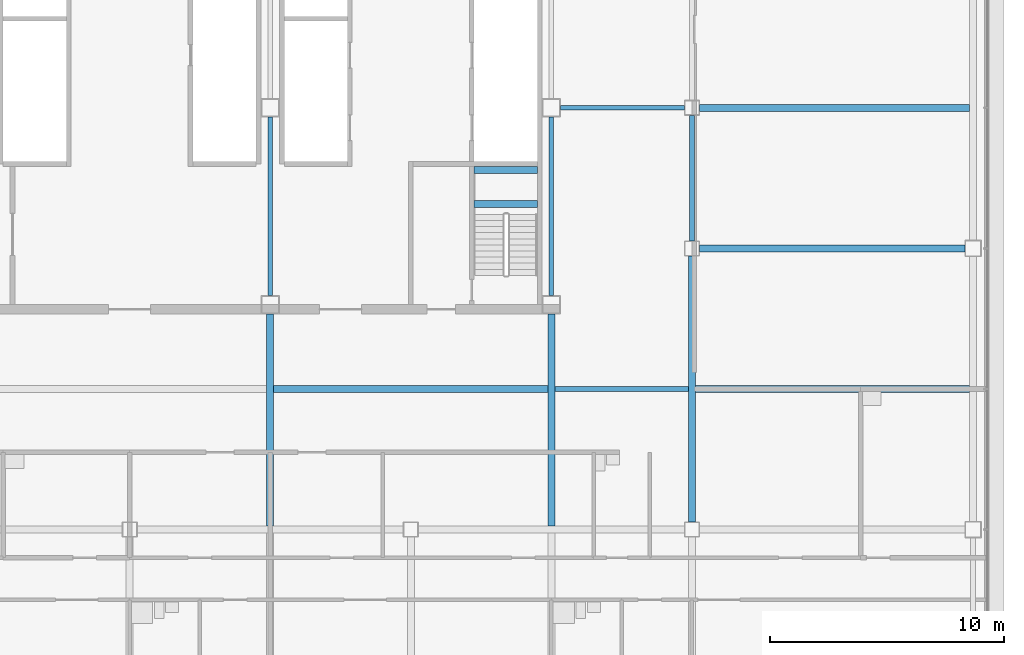
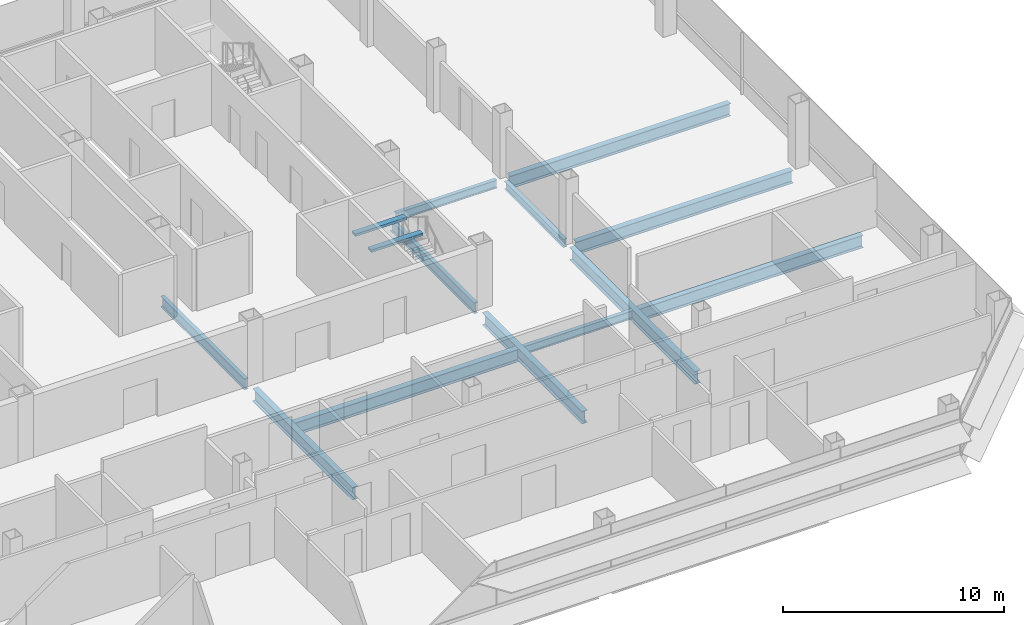
# One storey, part 10 of 24: 14 beams.
"""IFC4 building model written with IfcOpenShell, lengths in metres."""

from ifc_helpers import new_model, si_unit, direction, frame, origin, origin_2d, place, context, subcontext, project, spatial, rectangle, i_section, extrude, material, material_profile, profile_set, type_object, element, save


model = new_model("IFC4")

# Units and contexts
model_context = context("Model", 3, precision=1e-05, world=origin(), true_north=direction((0.0, 1.0)))
body_context = subcontext(model_context, "Body", "Model", "MODEL_VIEW")
ifc_project = project(units=[si_unit("LENGTHUNIT", "METRE"), si_unit("AREAUNIT", "SQUARE_METRE"), si_unit("VOLUMEUNIT", "CUBIC_METRE"), si_unit("PLANEANGLEUNIT", "RADIAN"), si_unit("MASSUNIT", "GRAM", prefix="KILO")], contexts=[model_context])

# Site, building, storey
site_placement = place(None, origin())
site = spatial("IfcSite", under=ifc_project, at=site_placement, CompositionType="ELEMENT")
building_placement = place(site_placement, origin())
building = spatial("IfcBuilding", under=site, at=building_placement, Name="Sorahane Residences", CompositionType="ELEMENT")
storey_placement = place(building_placement, frame((0.0, 0.0, 174.39990234375)))
storey = spatial("IfcBuildingStorey", under=building, at=storey_placement, Name="L40", CompositionType="ELEMENT", Elevation=174.39990234375)

# Beams
ifc_material_1 = material(Name="Concrete C40", Category="concrete")
ifc_material_profile_1 = material_profile(ifc_material_1, rectangle(XDim=0.300048828125, YDim=0.139892578125, at=origin_2d()), Name="300x140")
ifc_profile_set_1 = profile_set([ifc_material_profile_1], Name="Concrete C40")
beam_type_1 = type_object("IfcBeamType", Name="RC landing beam 300 x 140 Concrete C40", PredefinedType="BEAM", material=ifc_profile_set_1)
for number, where, z_axis, x_axis, name in (
    (1, (38.699951171875, 25.89990234375, 1.530029296875), (1.0, 0.0, 0.0), (0.0, 1.0, 0.0), "Landing beam"),
    (2, (38.699951171875, 27.35009765625, 1.530029296875), (1.0, 0.0, 0.0), (0.0, 1.0, 0.0), "Landing beam"),
):
    element("IfcBeam", number, at=place(storey_placement, frame(where, z_axis=z_axis, x_axis=x_axis)), inside=storey, type_object=beam_type_1, Name=name, PredefinedType="BEAM", context=body_context, shape_type="SweptSolid", body=[
        extrude(rectangle(XDim=0.300048828125, YDim=0.139892578125, at=origin_2d()), origin(), (0.0, 0.0, 1.0), 2.699951171875),
    ])
ifc_material_2 = material(Name="Steel Q355B", Category="steel")
ifc_material_profile_2 = material_profile(ifc_material_2, i_section(OverallWidth=0.199951171875, OverallDepth=0.449951171875, WebThickness=0.009033203125, FlangeThickness=0.013916015625, FilletRadius=0.02001953125, at=origin_2d()), Name="HN 450x200x9x14")
ifc_profile_set_2 = profile_set([ifc_material_profile_2], Name="Steel Q355B")
beam_type_2 = type_object("IfcBeamType", Name="Steel floor beam HN 450x200x9x14 Q355B", PredefinedType="BEAM", material=ifc_profile_set_2)
beam_1_placement = place(storey_placement, frame((48.0, 24.324951171875, -0.40478515625), z_axis=(0.0, 1.0, 0.0), x_axis=(-1.0, 0.0, 0.0)))
element("IfcBeam", 3, at=beam_1_placement, inside=storey, type_object=beam_type_2, Name="Beam L40 060", PredefinedType="BEAM", context=body_context, shape_type="SweptSolid", body=[
    extrude(i_section(OverallWidth=0.199951171875, OverallDepth=0.449951171875, WebThickness=0.009033203125, FlangeThickness=0.013916015625, FilletRadius=0.02001953125, at=origin_2d()), origin(), (0.0, 0.0, 1.0), 5.35009765625),
])
beam_2_placement = place(storey_placement, frame((42.14990234375, 18.0, -0.40478515625), z_axis=(1.0, 0.0, 0.0), x_axis=(0.0, 1.0, 0.0)))
element("IfcBeam", 4, at=beam_2_placement, inside=storey, type_object=beam_type_2, Name="Beam L40 083", PredefinedType="BEAM", context=body_context, shape_type="SweptSolid", body=[
    extrude(i_section(OverallWidth=0.199951171875, OverallDepth=0.449951171875, WebThickness=0.009033203125, FlangeThickness=0.013916015625, FilletRadius=0.02001953125, at=origin_2d()), origin(), (0.0, 0.0, 1.0), 5.7001953125),
])
beam_3_placement = place(storey_placement, frame((42.39990234375, 30.0, -0.40478515625), z_axis=(1.0, 0.0, 0.0), x_axis=(0.0, 1.0, 0.0)))
element("IfcBeam", 5, at=beam_3_placement, inside=storey, type_object=beam_type_2, Name="Beam L40 087", PredefinedType="BEAM", context=body_context, shape_type="SweptSolid", body=[
    extrude(i_section(OverallWidth=0.199951171875, OverallDepth=0.449951171875, WebThickness=0.009033203125, FlangeThickness=0.013916015625, FilletRadius=0.02001953125, at=origin_2d()), origin(), (0.0, 0.0, 1.0), 5.275146484375),
])
ifc_material_3 = material(Name="Steel Q355B", Category="steel")
ifc_material_profile_3 = material_profile(ifc_material_3, i_section(OverallWidth=0.199951171875, OverallDepth=0.60009765625, WebThickness=0.010986328125, FlangeThickness=0.01708984375, FilletRadius=0.02392578125, at=origin_2d()), Name="HN 600x200x11x17")
ifc_profile_set_3 = profile_set([ifc_material_profile_3], Name="Steel Q355B")
beam_type_3 = type_object("IfcBeamType", Name="Steel floor beam HN 600x200x11x17 Q355B", PredefinedType="BEAM", material=ifc_profile_set_3)
for number, where, z_axis, x_axis, name in (
    (6, (30.0, 22.0, -0.47998046875), (0.0, 1.0, 0.0), (-1.0, 0.0, 0.0), "Beam L40 046"),
    (7, (42.0, 22.0, -0.47998046875), (0.0, 1.0, 0.0), (-1.0, 0.0, 0.0), "Beam L40 054"),
):
    element("IfcBeam", number, at=place(storey_placement, frame(where, z_axis=z_axis, x_axis=x_axis)), inside=storey, type_object=beam_type_3, Name=name, PredefinedType="BEAM", context=body_context, shape_type="SweptSolid", body=[
        extrude(i_section(OverallWidth=0.199951171875, OverallDepth=0.60009765625, WebThickness=0.010986328125, FlangeThickness=0.01708984375, FilletRadius=0.02392578125, at=origin_2d()), origin(), (0.0, 0.0, 1.0), 7.60009765625),
    ])
ifc_material_4 = material(Name="Steel Q355B", Category="steel")
ifc_material_profile_4 = material_profile(ifc_material_4, i_section(OverallWidth=0.300048828125, OverallDepth=0.699951171875, WebThickness=0.012939453125, FlangeThickness=0.02392578125, FilletRadius=0.028076171875, at=origin_2d()), Name="HN 700x300x13x24")
ifc_profile_set_4 = profile_set([ifc_material_profile_4], Name="Steel Q355B")
beam_type_4 = type_object("IfcBeamType", Name="Steel floor beam HN 700x300x13x24 Q355B", PredefinedType="BEAM", material=ifc_profile_set_4)
beam_4_placement = place(storey_placement, frame((48.324951171875, 24.0, -0.52978515625), z_axis=(1.0, 0.0, 0.0), x_axis=(0.0, 1.0, 0.0)))
element("IfcBeam", 8, at=beam_4_placement, inside=storey, type_object=beam_type_4, Name="Beam L40 012", PredefinedType="BEAM", context=body_context, shape_type="SweptSolid", body=[
    extrude(i_section(OverallWidth=0.300048828125, OverallDepth=0.699951171875, WebThickness=0.012939453125, FlangeThickness=0.02392578125, FilletRadius=0.028076171875, at=origin_2d()), origin(), (0.0, 0.0, 1.0), 11.324951171875),
])
for number, where, z_axis, x_axis, name in (
    (9, (30.0, 12.14990234375, -0.52978515625), (0.0, 1.0, 0.0), (-1.0, 0.0, 0.0), "Beam L40 045"),
    (10, (42.0, 12.14990234375, -0.52978515625), (0.0, 1.0, 0.0), (-1.0, 0.0, 0.0), "Beam L40 053"),
):
    element("IfcBeam", number, at=place(storey_placement, frame(where, z_axis=z_axis, x_axis=x_axis)), inside=storey, type_object=beam_type_4, Name=name, PredefinedType="BEAM", context=body_context, shape_type="SweptSolid", body=[
        extrude(i_section(OverallWidth=0.300048828125, OverallDepth=0.699951171875, WebThickness=0.012939453125, FlangeThickness=0.02392578125, FilletRadius=0.028076171875, at=origin_2d()), origin(), (0.0, 0.0, 1.0), 9.050048828125),
    ])
beam_5_placement = place(storey_placement, frame((48.0, 12.324951171875, -0.52978515625), z_axis=(0.0, 1.0, 0.0), x_axis=(-1.0, 0.0, 0.0)))
element("IfcBeam", 11, at=beam_5_placement, inside=storey, type_object=beam_type_4, Name="Beam L40 059", PredefinedType="BEAM", context=body_context, shape_type="SweptSolid", body=[
    extrude(i_section(OverallWidth=0.300048828125, OverallDepth=0.699951171875, WebThickness=0.012939453125, FlangeThickness=0.02392578125, FilletRadius=0.028076171875, at=origin_2d()), origin(), (0.0, 0.0, 1.0), 11.35009765625),
])
for number, where, z_axis, x_axis, name in (
    (12, (30.14990234375, 18.0, -0.52978515625), (1.0, 0.0, 0.0), (0.0, 1.0, 0.0), "Beam L40 082"),
    (13, (48.14990234375, 18.0, -0.52978515625), (1.0, 0.0, 0.0), (0.0, 1.0, 0.0), "Beam L40 084"),
):
    element("IfcBeam", number, at=place(storey_placement, frame(where, z_axis=z_axis, x_axis=x_axis)), inside=storey, type_object=beam_type_4, Name=name, PredefinedType="BEAM", context=body_context, shape_type="SweptSolid", body=[
        extrude(i_section(OverallWidth=0.300048828125, OverallDepth=0.699951171875, WebThickness=0.012939453125, FlangeThickness=0.02392578125, FilletRadius=0.028076171875, at=origin_2d()), origin(), (0.0, 0.0, 1.0), 11.7001953125),
    ])
beam_6_placement = place(storey_placement, frame((48.324951171875, 30.0, -0.52978515625), z_axis=(1.0, 0.0, 0.0), x_axis=(0.0, 1.0, 0.0)))
element("IfcBeam", 14, at=beam_6_placement, inside=storey, type_object=beam_type_4, Name="Beam L40 088", PredefinedType="BEAM", context=body_context, shape_type="SweptSolid", body=[
    extrude(i_section(OverallWidth=0.300048828125, OverallDepth=0.699951171875, WebThickness=0.012939453125, FlangeThickness=0.02392578125, FilletRadius=0.028076171875, at=origin_2d()), origin(), (0.0, 0.0, 1.0), 11.525146484375),
])

save(model, "model.ifc")
